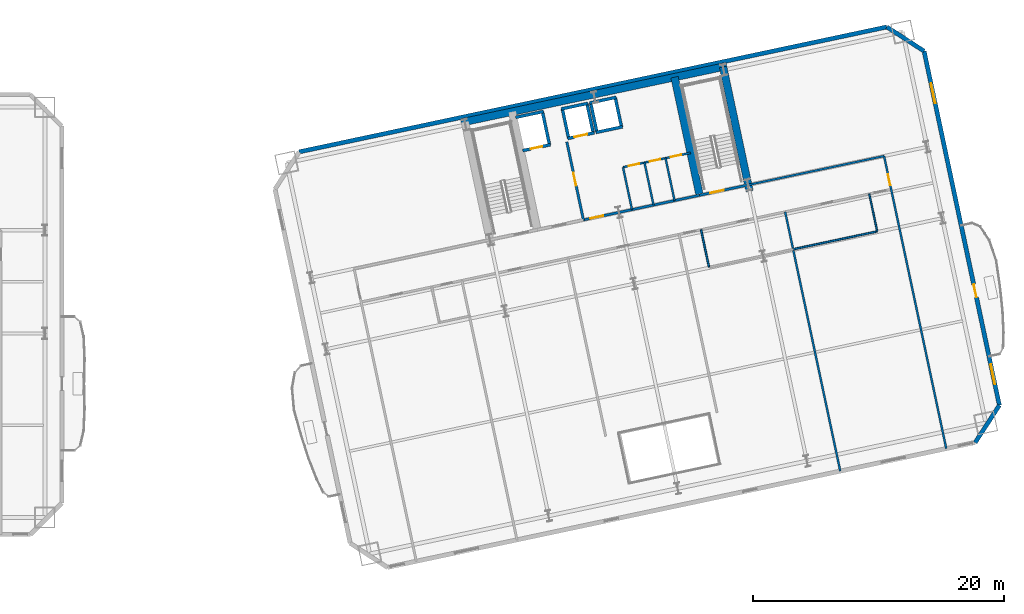
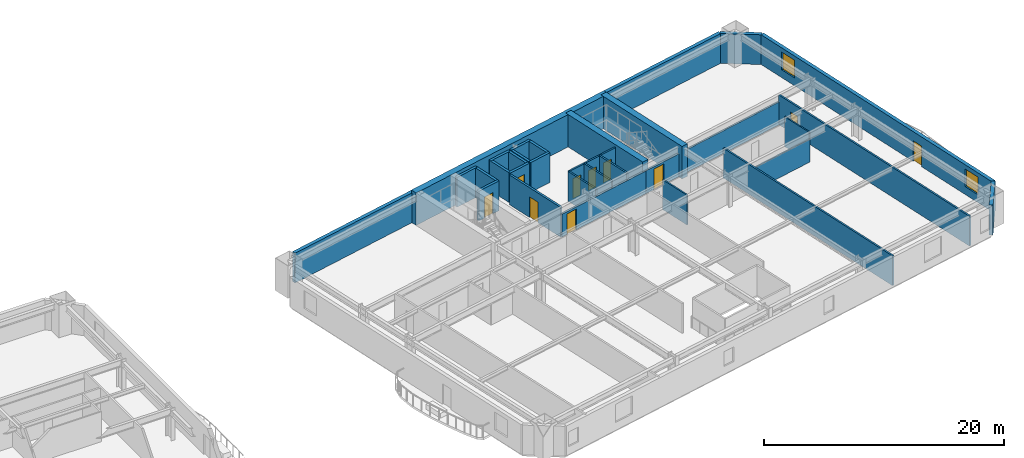
# One storey, part 8 of 16: 31 walls, 10 doors, 2 windows, 12 openings.
"""IFC4 building model written with IfcOpenShell, lengths in metres."""

from ifc_helpers import new_model, si_unit, direction, frame, frame_2d, origin, place, context, subcontext, project, spatial, rectangle, extrude, material, layer, layer_set, type_object, element, fill, save


model = new_model("IFC4")

# Units and contexts
model_context = context("Model", 3, precision=1e-05, world=origin(), true_north=direction((0.0, 1.0)))
body_context = subcontext(model_context, "Body", "Model", "MODEL_VIEW")
ifc_project = project(units=[si_unit("LENGTHUNIT", "METRE"), si_unit("AREAUNIT", "SQUARE_METRE"), si_unit("VOLUMEUNIT", "CUBIC_METRE"), si_unit("PLANEANGLEUNIT", "RADIAN"), si_unit("MASSUNIT", "GRAM", prefix="KILO")], contexts=[model_context])

# Site, building, storey
site_placement = place(None, origin())
site = spatial("IfcSite", under=ifc_project, at=site_placement, CompositionType="ELEMENT")
building_placement = place(site_placement, origin())
building = spatial("IfcBuilding", under=site, at=building_placement, Name="Haevon Station Towers", CompositionType="ELEMENT")
storey_placement = place(building_placement, frame((0.0, 0.0, 43.800048828125)))
storey = spatial("IfcBuildingStorey", under=building, at=storey_placement, Name="L10", CompositionType="ELEMENT", Elevation=43.800048828125)

# Wall, opening, door
ifc_material_1 = material(Name="Gypsum board on steel stud", Category="steel")
ifc_layer_1 = layer(ifc_material_1, 0.199951171875)
ifc_layer_set_1 = layer_set([ifc_layer_1], Name="Gypsum board on steel stud")
wall_type_1 = type_object("IfcWallType", Name="WL-COR200", PredefinedType="PARTITIONING", material=ifc_layer_set_1)
wall_1_placement = place(storey_placement, frame((115.4296875, 40.9873046875, 0.0), z_axis=(0.0, 0.0, 1.0), x_axis=(0.978146596989, 0.207916413008, 0.0)))
wall_1 = element("IfcWall", 1, at=wall_1_placement, inside=storey, type_object=wall_type_1, Name="WL-ST-ST4-L10", PredefinedType="PARTITIONING", context=body_context, shape_type="SweptSolid", body=[
    extrude(rectangle(XDim=3.9501953125, YDim=0.199951171875, at=frame_2d((1.97509765625, 0.0))), origin(), (0.0, 0.0, 1.0), 2.329833984375),
])
opening_1_placement = place(wall_1_placement, frame((0.85009765625, 0.0, 0.0)))
opening_1 = element("IfcOpeningElement", 2, at=opening_1_placement, cuts=wall_1, Name="Opening DR-ST-ST4-L10", PredefinedType="OPENING", context=body_context, shape_type="SweptSolid", body=[
    extrude(rectangle(XDim=1.1201171875, YDim=2.10009765625, at=frame_2d((0.56005859375, 1.050048828125))), frame((0.0, 0.10986328125, 0.0), z_axis=(0.0, -1.0, 0.0), x_axis=(1.0, 0.0, 0.0)), (0.0, 0.0, 1.0), 0.219970703125),
])
ifc_material_2 = material(Name="Engineered oak timber", Category="wood")
door_type_1 = type_object("IfcDoorType", Name="DR-ST-1120", OperationType="NOTDEFINED", PredefinedType="DOOR", material=ifc_material_2)
door_1_placement = place(opening_1_placement, origin())
door_1 = element("IfcDoor", 3, at=door_1_placement, inside=storey, type_object=door_type_1, Name="L10 Escape Stair ST4 Fire Door", OperationType="SINGLE_SWING_LEFT", OverallHeight=2.10009765625, OverallWidth=1.1201171875, PredefinedType="DOOR", context=body_context, shape_type="SweptSolid", body=[
    extrude(rectangle(XDim=1.1201171875, YDim=2.10009765625, at=frame_2d((0.56005859375, 1.050048828125))), frame((0.0, 0.02490234375, 0.0), z_axis=(0.0, -1.0, 0.0), x_axis=(1.0, 0.0, 0.0)), (0.0, 0.0, 1.0), 0.050048828125),
])
fill(opening_1, door_1)

wall_2_placement = place(storey_placement, frame((106.186279296875, 39.0224609375, 0.0), z_axis=(0.0, 0.0, 1.0), x_axis=(-0.207916691923, 0.978146537703, 0.0)))
wall_2 = element("IfcWall", 4, at=wall_2_placement, inside=storey, type_object=wall_type_1, Name="WL-T2FFL-L10-E", PredefinedType="PARTITIONING", context=body_context, shape_type="SweptSolid", body=[
    extrude(rectangle(XDim=6.35009765625, YDim=0.199951171875, at=frame_2d((3.175048828125, 0.0))), origin(), (0.0, 0.0, 1.0), 3.030029296875),
])
opening_2_placement = place(wall_2_placement, frame((2.800048828125, 0.0, 0.0)))
opening_2 = element("IfcOpeningElement", 5, at=opening_2_placement, cuts=wall_2, Name="Opening DR-T2FFL-L10-E", PredefinedType="OPENING", context=body_context, shape_type="SweptSolid", body=[
    extrude(rectangle(XDim=1.050048828125, YDim=2.10009765625, at=frame_2d((0.52490234375, 1.050048828125))), frame((0.0, 0.10986328125, 0.0), z_axis=(0.0, -1.0, 0.0), x_axis=(1.0, 0.0, 0.0)), (0.0, 0.0, 1.0), 0.219970703125),
])
door_type_2 = type_object("IfcDoorType", Name="DR-FD60-1050", OperationType="NOTDEFINED", PredefinedType="DOOR", material=ifc_material_2)
door_2_placement = place(opening_2_placement, origin())
door_2 = element("IfcDoor", 6, at=door_2_placement, inside=storey, type_object=door_type_2, Name="L10 Tower 2 Firefighting Lift Lobby Door E", OperationType="SINGLE_SWING_RIGHT", OverallHeight=2.10009765625, OverallWidth=1.050048828125, PredefinedType="DOOR", context=body_context, shape_type="SweptSolid", body=[
    extrude(rectangle(XDim=1.050048828125, YDim=2.10009765625, at=frame_2d((0.52490234375, 1.050048828125))), frame((0.0, 0.02490234375, 0.0), z_axis=(0.0, -1.0, 0.0), x_axis=(1.0, 0.0, 0.0)), (0.0, 0.0, 1.0), 0.050048828125),
])
fill(opening_2, door_2)

wall_3_placement = place(storey_placement, frame((106.186279296875, 39.0224609375, 0.0), z_axis=(0.0, 0.0, 1.0), x_axis=(0.978145519981, 0.20792147975, 0.0)))
wall_3 = element("IfcWall", 7, at=wall_3_placement, inside=storey, type_object=wall_type_1, Name="WL-T2CLB-L10", PredefinedType="PARTITIONING", context=body_context, shape_type="SweptSolid", body=[
    extrude(rectangle(XDim=9.449951171875, YDim=0.199951171875, at=frame_2d((4.72509765625, 0.0))), origin(), (0.0, 0.0, 1.0), 2.329833984375),
])
opening_3_placement = place(wall_3_placement, frame((0.550048828125, 0.0, 0.0)))
opening_3 = element("IfcOpeningElement", 8, at=opening_3_placement, cuts=wall_3, Name="Opening DR-T2CLB-L10-1", PredefinedType="OPENING", context=body_context, shape_type="SweptSolid", body=[
    extrude(rectangle(XDim=1.050048828125, YDim=2.10009765625, at=frame_2d((0.52490234375, 1.050048828125))), frame((0.0, 0.10986328125, 0.0), z_axis=(0.0, -1.0, 0.0), x_axis=(1.0, 0.0, 0.0)), (0.0, 0.0, 1.0), 0.219970703125),
])
door_3_placement = place(opening_3_placement, origin())
door_3 = element("IfcDoor", 9, at=door_3_placement, inside=storey, type_object=door_type_2, Name="L10 Tower 2 Core Lift Lobby Door 1", OperationType="SINGLE_SWING_RIGHT", OverallHeight=2.10009765625, OverallWidth=1.050048828125, PredefinedType="DOOR", context=body_context, shape_type="SweptSolid", body=[
    extrude(rectangle(XDim=1.050048828125, YDim=2.10009765625, at=frame_2d((0.52490234375, 1.050048828125))), frame((0.0, 0.02490234375, 0.0), z_axis=(0.0, -1.0, 0.0), x_axis=(1.0, 0.0, 0.0)), (0.0, 0.0, 1.0), 0.050048828125),
])
fill(opening_3, door_3)

# Walls
ifc_material_3 = material(Name="Concrete C60/75", Category="concrete")
ifc_layer_2 = layer(ifc_material_3, 0.60009765625)
ifc_layer_set_2 = layer_set([ifc_layer_2], Name="Concrete C60/75")
wall_type_2 = type_object("IfcWallType", Name="WL-CR600", PredefinedType="SHEAR", material=ifc_layer_set_2)
wall_4_placement = place(storey_placement, frame((96.462890625, 46.770263671875, 0.0), z_axis=(0.0, 0.0, 1.0), x_axis=(0.978147272959, 0.207913232873, 0.0)))
element("IfcWall", 10, at=wall_4_placement, inside=storey, type_object=wall_type_2, Name="WL-T2CR-L10-N", PredefinedType="SHEAR", context=body_context, shape_type="SweptSolid", body=[
    extrude(rectangle(XDim=21.60009765625, YDim=0.60009765625, at=frame_2d((10.800048828125, 0.0))), origin(), (0.0, 0.0, 1.0), 3.300048828125),
])
wall_5_placement = place(storey_placement, frame((119.401611328125, 41.2998046875, 0.0), z_axis=(0.0, 0.0, 1.0), x_axis=(-0.207904342798, 0.978149162575, 0.0)))
element("IfcWall", 11, at=wall_5_placement, inside=storey, type_object=wall_type_2, Name="WL-T2CR-L10-E", PredefinedType="SHEAR", context=body_context, shape_type="SweptSolid", body=[
    extrude(rectangle(XDim=10.1201171875, YDim=0.60009765625, at=frame_2d((5.06005859375, 0.0))), origin(), (0.0, 0.0, 1.0), 3.300048828125),
])
wall_6_placement = place(storey_placement, frame((115.4296875, 40.9873046875, 0.0), z_axis=(0.0, 0.0, 1.0), x_axis=(-0.207903162969, 0.978149413345, 0.0)))
element("IfcWall", 12, at=wall_6_placement, inside=storey, type_object=wall_type_2, Name="WL-T2CR-L10-M2", PredefinedType="SHEAR", context=body_context, shape_type="SweptSolid", body=[
    extrude(rectangle(XDim=9.599853515625, YDim=0.60009765625, at=frame_2d((4.7998046875, 0.0))), origin(), (0.0, 0.0, 1.0), 3.300048828125),
])
ifc_material_4 = material(Name="Precast concrete C45/55", Category="concrete")
ifc_layer_3 = layer(ifc_material_4, 0.340087890625)
ifc_layer_set_3 = layer_set([ifc_layer_3], Name="Precast concrete C45/55")
wall_type_3 = type_object("IfcWallType", Name="WL-EXT-PIER340", PredefinedType="SOLIDWALL", material=ifc_layer_set_3)
wall_7_placement = place(storey_placement, frame((83.566162109375, 44.43798828125, 0.0), z_axis=(0.0, 0.0, 1.0), x_axis=(0.97814833523, 0.207908235256, 0.0)))
element("IfcWall", 13, at=wall_7_placement, inside=storey, type_object=wall_type_3, Name="WL-T2-L10-N", PredefinedType="SOLIDWALL", context=body_context, shape_type="SweptSolid", body=[
    extrude(rectangle(XDim=47.7998046875, YDim=0.340087890625, at=frame_2d((23.89990234375, 0.0))), origin(), (0.0, 0.0, 1.0), 3.030029296875),
])
wall_8_placement = place(storey_placement, frame((130.321533203125, 54.3759765625, 0.0), z_axis=(0.0, 0.0, 1.0), x_axis=(0.838672309694, -0.544636352948, 0.0)))
element("IfcWall", 14, at=wall_8_placement, inside=storey, type_object=wall_type_3, Name="WL-T2-L10-NEC", PredefinedType="SOLIDWALL", context=body_context, shape_type="SweptSolid", body=[
    extrude(rectangle(XDim=3.535400390625, YDim=0.340087890625, at=frame_2d((1.767578125, 0.0))), origin(), (0.0, 0.0, 1.0), 3.030029296875),
])

# Wall, openings, door, windows
wall_9_placement = place(storey_placement, frame((133.28662109375, 52.450439453125, 0.0), z_axis=(0.0, 0.0, 1.0), x_axis=(0.207909549752, -0.978148055829, 0.0)))
wall_9 = element("IfcWall", 15, at=wall_9_placement, inside=storey, type_object=wall_type_3, Name="WL-T2-L10-E", PredefinedType="SOLIDWALL", context=body_context, shape_type="SweptSolid", body=[
    extrude(rectangle(XDim=28.800048828125, YDim=0.340087890625, at=frame_2d((14.39990234375, 0.0))), origin(), (0.0, 0.0, 1.0), 3.030029296875),
])
opening_4_placement = place(wall_9_placement, frame((18.97509765625, 0.0, 0.0)))
opening_4 = element("IfcOpeningElement", 16, at=opening_4_placement, cuts=wall_9, Name="Opening DR-T2-SCAL-L10-E", PredefinedType="OPENING", context=body_context, shape_type="SweptSolid", body=[
    extrude(rectangle(XDim=1.050048828125, YDim=2.10009765625, at=frame_2d((0.52490234375, 1.050048828125))), frame((0.0, 0.179931640625, 0.0), z_axis=(0.0, -1.0, 0.0), x_axis=(1.0, 0.0, 0.0)), (0.0, 0.0, 1.0), 0.360107421875),
])
opening_5_placement = place(wall_9_placement, frame((2.628662109375, 0.0, 0.800048828125)))
opening_5 = element("IfcOpeningElement", 17, at=opening_5_placement, cuts=wall_9, Name="Opening WN-END160", PredefinedType="OPENING", context=body_context, shape_type="SweptSolid", body=[
    extrude(rectangle(XDim=1.60009765625, YDim=1.800048828125, at=frame_2d((0.800048828125, 0.89990234375))), frame((0.0, 0.179931640625, 0.0), z_axis=(0.0, -1.0, 0.0), x_axis=(1.0, 0.0, 0.0)), (0.0, 0.0, 1.0), 0.360107421875),
])
opening_6_placement = place(wall_9_placement, frame((25.485595703125, 0.0, 0.800048828125)))
opening_6 = element("IfcOpeningElement", 18, at=opening_6_placement, cuts=wall_9, Name="Opening WN-END160", PredefinedType="OPENING", context=body_context, shape_type="SweptSolid", body=[
    extrude(rectangle(XDim=1.60009765625, YDim=1.800048828125, at=frame_2d((0.800048828125, 0.89990234375))), frame((0.0, 0.179931640625, 0.0), z_axis=(0.0, -1.0, 0.0), x_axis=(1.0, 0.0, 0.0)), (0.0, 0.0, 1.0), 0.360107421875),
])
ifc_material_5 = material(Name="Thermally broken anodised aluminium and laminated safety glass", Category="aluminium")
door_type_3 = type_object("IfcDoorType", Name="DR-BALC-1050", OperationType="NOTDEFINED", PredefinedType="DOOR", material=ifc_material_5)
door_4_placement = place(opening_4_placement, origin())
door_4 = element("IfcDoor", 19, at=door_4_placement, inside=storey, type_object=door_type_3, Name="Tower 2 L10 East Scalloped Balcony Door", OperationType="SINGLE_SWING_LEFT", OverallHeight=2.10009765625, OverallWidth=1.050048828125, PredefinedType="DOOR", context=body_context, shape_type="SweptSolid", body=[
    extrude(rectangle(XDim=1.050048828125, YDim=2.10009765625, at=frame_2d((0.52490234375, 1.050048828125))), frame((0.0, 0.02490234375, 0.0), z_axis=(0.0, -1.0, 0.0), x_axis=(1.0, 0.0, 0.0)), (0.0, 0.0, 1.0), 0.050048828125),
])
fill(opening_4, door_4)
ifc_material_6 = material(Name="Low-E triple glazing in thermally broken aluminium", Category="aluminium")
window_type = type_object("IfcWindowType", Name="WN-END160", PartitioningType="SINGLE_PANEL", PredefinedType="WINDOW", material=ifc_material_6)
window_1_placement = place(opening_5_placement, origin())
window_1 = element("IfcWindow", 20, at=window_1_placement, inside=storey, type_object=window_type, Name="WN-T2-L10-E01", OverallHeight=1.800048828125, OverallWidth=1.60009765625, PartitioningType="SINGLE_PANEL", PredefinedType="WINDOW", context=body_context, shape_type="SweptSolid", body=[
    extrude(rectangle(XDim=1.60009765625, YDim=1.800048828125, at=frame_2d((0.800048828125, 0.89990234375))), frame((0.0, 0.030029296875, 0.0), z_axis=(0.0, -1.0, 0.0), x_axis=(1.0, 0.0, 0.0)), (0.0, 0.0, 1.0), 0.06005859375),
])
fill(opening_5, window_1)
window_2_placement = place(opening_6_placement, origin())
window_2 = element("IfcWindow", 21, at=window_2_placement, inside=storey, type_object=window_type, Name="WN-T2-L10-E02", OverallHeight=1.800048828125, OverallWidth=1.60009765625, PartitioningType="SINGLE_PANEL", PredefinedType="WINDOW", context=body_context, shape_type="SweptSolid", body=[
    extrude(rectangle(XDim=1.60009765625, YDim=1.800048828125, at=frame_2d((0.800048828125, 0.89990234375))), frame((0.0, 0.030029296875, 0.0), z_axis=(0.0, -1.0, 0.0), x_axis=(1.0, 0.0, 0.0)), (0.0, 0.0, 1.0), 0.06005859375),
])
fill(opening_6, window_2)

# Walls
wall_10_placement = place(storey_placement, frame((139.2744140625, 24.27978515625, 0.0), z_axis=(0.0, 0.0, 1.0), x_axis=(-0.544636352948, -0.838672309694, 0.0)))
element("IfcWall", 22, at=wall_10_placement, inside=storey, type_object=wall_type_3, Name="WL-T2-L10-SEC", PredefinedType="SOLIDWALL", context=body_context, shape_type="SweptSolid", body=[
    extrude(rectangle(XDim=3.535400390625, YDim=0.340087890625, at=frame_2d((1.767578125, 0.0))), origin(), (0.0, 0.0, 1.0), 3.030029296875),
])
ifc_layer_4 = layer(ifc_material_1, 0.125)
ifc_layer_set_4 = layer_set([ifc_layer_4], Name="Gypsum board on steel stud")
wall_type_4 = type_object("IfcWallType", Name="WL-PRT125", PredefinedType="PARTITIONING", material=ifc_layer_set_4)
wall_11_placement = place(storey_placement, frame((129.556396484375, 38.111572265625, 0.0), z_axis=(0.0, 0.0, 1.0), x_axis=(-0.207954487003, 0.978138503145, 0.0)))
element("IfcWall", 23, at=wall_11_placement, inside=storey, type_object=wall_type_4, Name="WL-T2PT-L10-19", PredefinedType="PARTITIONING", context=body_context, shape_type="SweptSolid", body=[
    extrude(rectangle(XDim=3.050048828125, YDim=0.125, at=frame_2d((1.52490234375, 0.0))), origin(), (0.0, 0.0, 1.0), 3.030029296875),
])
ifc_layer_5 = layer(ifc_material_1, 0.139892578125)
ifc_layer_set_5 = layer_set([ifc_layer_5], Name="Gypsum board on steel stud")
wall_type_5 = type_object("IfcWallType", Name="WL-PRT140", PredefinedType="PARTITIONING", material=ifc_layer_set_5)
wall_12_placement = place(storey_placement, frame((116.17529296875, 35.267333984375, 0.0), z_axis=(0.0, 0.0, 1.0), x_axis=(-0.207877902534, 0.978154782045, 0.0)))
element("IfcWall", 24, at=wall_12_placement, inside=storey, type_object=wall_type_5, Name="WL-T2PT-L10-16", PredefinedType="PARTITIONING", context=body_context, shape_type="SweptSolid", body=[
    extrude(rectangle(XDim=3.050048828125, YDim=0.139892578125, at=frame_2d((1.52490234375, 0.0))), origin(), (0.0, 0.0, 1.0), 3.030029296875),
])
wall_13_placement = place(storey_placement, frame((122.86572265625, 36.689453125, 0.0), z_axis=(0.0, 0.0, 1.0), x_axis=(0.978148417856, 0.207907846525, 0.0)))
element("IfcWall", 25, at=wall_13_placement, inside=storey, type_object=wall_type_5, Name="WL-T2PT-L10-18", PredefinedType="PARTITIONING", context=body_context, shape_type="SweptSolid", body=[
    extrude(rectangle(XDim=6.840087890625, YDim=0.139892578125, at=frame_2d((3.419921875, 0.0))), origin(), (0.0, 0.0, 1.0), 2.329833984375),
])
ifc_layer_6 = layer(ifc_material_1, 0.159912109375)
ifc_layer_set_6 = layer_set([ifc_layer_6], Name="Gypsum board on steel stud")
wall_type_6 = type_object("IfcWallType", Name="WL-PRT160", PredefinedType="PARTITIONING", material=ifc_layer_set_6)
for number, where, z_axis, x_axis, name in (
    (26, (110.050048828125, 39.84375, 0.0), (0.0, 0.0, 1.0), (-0.207900225061, 0.978150037785, 0.0), "WL-T2CW-L10-01"),
    (27, (111.76171875, 40.20751953125, 0.0), (0.0, 0.0, 1.0), (-0.207900225061, 0.978150037785, 0.0), "WL-T2CW-L10-02"),
):
    element("IfcWall", number, at=place(storey_placement, frame(where, z_axis=z_axis, x_axis=x_axis)), inside=storey, type_object=wall_type_6, Name=name, PredefinedType="PARTITIONING", context=body_context, shape_type="SweptSolid", body=[
        extrude(rectangle(XDim=3.4501953125, YDim=0.159912109375, at=frame_2d((1.72509765625, 0.0))), origin(), (0.0, 0.0, 1.0), 3.030029296875),
    ])
wall_14_placement = place(storey_placement, frame((113.434326171875, 40.563232421875, 0.0), z_axis=(0.0, 0.0, 1.0), x_axis=(-0.207914616127, 0.978146978935, 0.0)))
element("IfcWall", 28, at=wall_14_placement, inside=storey, type_object=wall_type_6, Name="WL-T2CW-L10-03", PredefinedType="PARTITIONING", context=body_context, shape_type="SweptSolid", body=[
    extrude(rectangle(XDim=3.449951171875, YDim=0.159912109375, at=frame_2d((1.72509765625, 0.0))), origin(), (0.0, 0.0, 1.0), 3.030029296875),
])

# Wall, openings, doors
wall_15_placement = place(storey_placement, frame((109.332763671875, 43.218505859375, 0.0), z_axis=(0.0, 0.0, 1.0), x_axis=(0.978153773776, 0.207882646816, 0.0)))
wall_15 = element("IfcWall", 29, at=wall_15_placement, inside=storey, type_object=wall_type_6, Name="WL-T2CW-L10-04", PredefinedType="PARTITIONING", context=body_context, shape_type="SweptSolid", body=[
    extrude(rectangle(XDim=5.499755859375, YDim=0.159912109375, at=frame_2d((2.75, 0.0))), origin(), (0.0, 0.0, 1.0), 3.030029296875),
])
opening_7_placement = place(wall_15_placement, frame((0.469970703125, 0.0, 0.0)))
opening_7 = element("IfcOpeningElement", 30, at=opening_7_placement, cuts=wall_15, Name="Opening DR-WL-T2CW-L10-04-1", PredefinedType="OPENING", context=body_context, shape_type="SweptSolid", body=[
    extrude(rectangle(XDim=0.85009765625, YDim=2.050048828125, at=frame_2d((0.425048828125, 1.02490234375))), frame((0.0, 0.08984375, 0.0), z_axis=(0.0, -1.0, 0.0), x_axis=(1.0, 0.0, 0.0)), (0.0, 0.0, 1.0), 0.179931640625),
])
opening_8_placement = place(wall_15_placement, frame((2.179931640625, 0.0, 0.0)))
opening_8 = element("IfcOpeningElement", 31, at=opening_8_placement, cuts=wall_15, Name="Opening DR-WL-T2CW-L10-04-2", PredefinedType="OPENING", context=body_context, shape_type="SweptSolid", body=[
    extrude(rectangle(XDim=0.85009765625, YDim=2.050048828125, at=frame_2d((0.425048828125, 1.02490234375))), frame((0.0, 0.08984375, 0.0), z_axis=(0.0, -1.0, 0.0), x_axis=(1.0, 0.0, 0.0)), (0.0, 0.0, 1.0), 0.179931640625),
])
opening_9_placement = place(wall_15_placement, frame((3.89501953125, 0.0, 0.0)))
opening_9 = element("IfcOpeningElement", 32, at=opening_9_placement, cuts=wall_15, Name="Opening DR-WL-T2CW-L10-04-3", PredefinedType="OPENING", context=body_context, shape_type="SweptSolid", body=[
    extrude(rectangle(XDim=0.85009765625, YDim=2.050048828125, at=frame_2d((0.425048828125, 1.02490234375))), frame((0.0, 0.08984375, 0.0), z_axis=(0.0, -1.0, 0.0), x_axis=(1.0, 0.0, 0.0)), (0.0, 0.0, 1.0), 0.179931640625),
])
door_type_4 = type_object("IfcDoorType", Name="DR-FD30-850", OperationType="NOTDEFINED", PredefinedType="DOOR", material=ifc_material_2)
door_5_placement = place(opening_7_placement, origin())
door_5 = element("IfcDoor", 33, at=door_5_placement, inside=storey, type_object=door_type_4, Name="L10 Tower 2 Core Room Door 4-1", OperationType="SINGLE_SWING_LEFT", OverallHeight=2.050048828125, OverallWidth=0.85009765625, PredefinedType="DOOR", context=body_context, shape_type="SweptSolid", body=[
    extrude(rectangle(XDim=0.85009765625, YDim=2.050048828125, at=frame_2d((0.425048828125, 1.02490234375))), frame((0.0, 0.02490234375, 0.0), z_axis=(0.0, -1.0, 0.0), x_axis=(1.0, 0.0, 0.0)), (0.0, 0.0, 1.0), 0.050048828125),
])
fill(opening_7, door_5)
door_6_placement = place(opening_8_placement, origin())
door_6 = element("IfcDoor", 34, at=door_6_placement, inside=storey, type_object=door_type_4, Name="L10 Tower 2 Core Room Door 4-2", OperationType="SINGLE_SWING_RIGHT", OverallHeight=2.050048828125, OverallWidth=0.85009765625, PredefinedType="DOOR", context=body_context, shape_type="SweptSolid", body=[
    extrude(rectangle(XDim=0.85009765625, YDim=2.050048828125, at=frame_2d((0.425048828125, 1.02490234375))), frame((0.0, 0.02490234375, 0.0), z_axis=(0.0, -1.0, 0.0), x_axis=(1.0, 0.0, 0.0)), (0.0, 0.0, 1.0), 0.050048828125),
])
fill(opening_8, door_6)
door_7_placement = place(opening_9_placement, origin())
door_7 = element("IfcDoor", 35, at=door_7_placement, inside=storey, type_object=door_type_4, Name="L10 Tower 2 Core Room Door 4-3", OperationType="SINGLE_SWING_LEFT", OverallHeight=2.050048828125, OverallWidth=0.85009765625, PredefinedType="DOOR", context=body_context, shape_type="SweptSolid", body=[
    extrude(rectangle(XDim=0.85009765625, YDim=2.050048828125, at=frame_2d((0.425048828125, 1.02490234375))), frame((0.0, 0.02490234375, 0.0), z_axis=(0.0, -1.0, 0.0), x_axis=(1.0, 0.0, 0.0)), (0.0, 0.0, 1.0), 0.050048828125),
])
fill(opening_9, door_7)

# Wall
wall_16_placement = place(storey_placement, frame((119.29345703125, 41.80859375, 0.0), z_axis=(0.0, 0.0, 1.0), x_axis=(0.978148967098, 0.207905262477, 0.0)))
element("IfcWall", 36, at=wall_16_placement, inside=storey, type_object=wall_type_6, Name="WL-T2PT-L10-02", PredefinedType="PARTITIONING", context=body_context, shape_type="SweptSolid", body=[
    extrude(rectangle(XDim=11.050048828125, YDim=0.159912109375, at=frame_2d((5.52490234375, 0.0))), origin(), (0.0, 0.0, 1.0), 2.329833984375),
])

# Wall, opening, door
wall_17_placement = place(storey_placement, frame((135.05029296875, 20.826171875, 0.0), z_axis=(0.0, 0.0, 1.0), x_axis=(-0.207910528946, 0.978147847697, 0.0)))
wall_17 = element("IfcWall", 37, at=wall_17_placement, inside=storey, type_object=wall_type_6, Name="WL-T2PT-L10-04", PredefinedType="PARTITIONING", context=body_context, shape_type="SweptSolid", body=[
    extrude(rectangle(XDim=23.7998046875, YDim=0.159912109375, at=frame_2d((11.89990234375, 0.0))), origin(), (0.0, 0.0, 1.0), 3.030029296875),
])
opening_10_placement = place(wall_17_placement, frame((21.419921875, 0.0, 0.0)))
opening_10 = element("IfcOpeningElement", 38, at=opening_10_placement, cuts=wall_17, Name="Opening DR-WL-T2PT-L10-04-01", PredefinedType="OPENING", context=body_context, shape_type="SweptSolid", body=[
    extrude(rectangle(XDim=0.89990234375, YDim=2.050048828125, at=frame_2d((0.449951171875, 1.02490234375))), frame((0.0, 0.08984375, 0.0), z_axis=(0.0, -1.0, 0.0), x_axis=(1.0, 0.0, 0.0)), (0.0, 0.0, 1.0), 0.179931640625),
])
door_type_5 = type_object("IfcDoorType", Name="DR-INT-900", OperationType="NOTDEFINED", PredefinedType="DOOR", material=ifc_material_2)
door_8_placement = place(opening_10_placement, origin())
door_8 = element("IfcDoor", 39, at=door_8_placement, inside=storey, type_object=door_type_5, Name="L10 Tower 2 Room Door 4-1", OperationType="SINGLE_SWING_LEFT", OverallHeight=2.050048828125, OverallWidth=0.89990234375, PredefinedType="DOOR", context=body_context, shape_type="SweptSolid", body=[
    extrude(rectangle(XDim=0.89990234375, YDim=2.050048828125, at=frame_2d((0.449951171875, 1.02490234375))), frame((0.0, 0.02490234375, 0.0), z_axis=(0.0, -1.0, 0.0), x_axis=(1.0, 0.0, 0.0)), (0.0, 0.0, 1.0), 0.050048828125),
])
fill(opening_10, door_8)

# Wall
wall_18_placement = place(storey_placement, frame((126.61865234375, 19.033935546875, 0.0), z_axis=(0.0, 0.0, 1.0), x_axis=(-0.207912863691, 0.978147351431, 0.0)))
element("IfcWall", 40, at=wall_18_placement, inside=storey, type_object=wall_type_6, Name="WL-T2PT-L10-17", PredefinedType="PARTITIONING", context=body_context, shape_type="SweptSolid", body=[
    extrude(rectangle(XDim=21.10009765625, YDim=0.159912109375, at=frame_2d((10.550048828125, 0.0))), origin(), (0.0, 0.0, 1.0), 3.030029296875),
])

# Wall, opening, door
ifc_material_7 = material(Name="Concrete C40/50", Category="concrete")
ifc_layer_7 = layer(ifc_material_7, 0.239990234375)
ifc_layer_set_7 = layer_set([ifc_layer_7], Name="Concrete C40/50")
wall_type_7 = type_object("IfcWallType", Name="WL-SHF240", PredefinedType="PARTITIONING", material=ifc_layer_set_7)
wall_19_placement = place(storey_placement, frame((101.353759765625, 44.538330078125, 0.0), z_axis=(0.0, 0.0, 1.0), x_axis=(0.978141002414, 0.207942731049, 0.0)))
wall_19 = element("IfcWall", 41, at=wall_19_placement, inside=storey, type_object=wall_type_7, Name="WL-SHF-FL2-L10", PredefinedType="PARTITIONING", context=body_context, shape_type="SweptSolid", body=[
    extrude(rectangle(XDim=2.260009765625, YDim=0.239990234375, at=frame_2d((1.1298828125, 0.0))), origin(), (0.0, 0.0, 1.0), 3.030029296875),
])
opening_11_placement = place(wall_19_placement, frame((0.655029296875, 0.0, 0.0)))
opening_11 = element("IfcOpeningElement", 42, at=opening_11_placement, cuts=wall_19, Name="Opening LD-FL2-L10", PredefinedType="OPENING", context=body_context, shape_type="SweptSolid", body=[
    extrude(rectangle(XDim=0.949951171875, YDim=2.14990234375, at=frame_2d((0.47509765625, 1.074951171875))), frame((0.0, 0.1298828125, 0.0), z_axis=(0.0, -1.0, 0.0), x_axis=(1.0, 0.0, 0.0)), (0.0, 0.0, 1.0), 0.260009765625),
])
ifc_material_8 = material(Name="Stainless steel and rated core", Category="steel")
door_type_6 = type_object("IfcDoorType", Name="LD-FL950", OperationType="SLIDING_TO_LEFT", PredefinedType="DOOR", material=ifc_material_8)
door_9_placement = place(opening_11_placement, origin())
door_9 = element("IfcDoor", 43, at=door_9_placement, inside=storey, type_object=door_type_6, Name="L10 Lift FL2 Sliding Landing Door", OperationType="SLIDING_TO_LEFT", OverallHeight=2.14990234375, OverallWidth=0.949951171875, PredefinedType="DOOR", context=body_context, shape_type="SweptSolid", body=[
    extrude(rectangle(XDim=0.949951171875, YDim=2.14990234375, at=frame_2d((0.47509765625, 1.074951171875))), frame((0.0, 0.02490234375, 0.0), z_axis=(0.0, -1.0, 0.0), x_axis=(1.0, 0.0, 0.0)), (0.0, 0.0, 1.0), 0.050048828125),
])
fill(opening_11, door_9)

# Walls
wall_20_placement = place(storey_placement, frame((100.79248046875, 47.179443359375, 0.0), z_axis=(0.0, 0.0, 1.0), x_axis=(0.978162968872, 0.207839376268, 0.0)))
element("IfcWall", 44, at=wall_20_placement, inside=storey, type_object=wall_type_7, Name="WL-SHF-FL2-L10-N", PredefinedType="PARTITIONING", context=body_context, shape_type="SweptSolid", body=[
    extrude(rectangle(XDim=2.260009765625, YDim=0.239990234375, at=frame_2d((1.1298828125, 0.0))), origin(), (0.0, 0.0, 1.0), 3.030029296875),
])
wall_21_placement = place(storey_placement, frame((103.486328125, 44.99169921875, 0.0), z_axis=(0.0, 0.0, 1.0), x_axis=(-0.207978798957, 0.978133334052, 0.0)))
element("IfcWall", 45, at=wall_21_placement, inside=storey, type_object=wall_type_7, Name="WL-SHF-FL2-L10-E", PredefinedType="PARTITIONING", context=body_context, shape_type="SweptSolid", body=[
    extrude(rectangle(XDim=2.699951171875, YDim=0.239990234375, at=frame_2d((1.35009765625, 0.0))), origin(), (0.0, 0.0, 1.0), 3.030029296875),
])

# Wall, opening, door
wall_22_placement = place(storey_placement, frame((104.931396484375, 45.503173828125, 0.0), z_axis=(0.0, 0.0, 1.0), x_axis=(0.97813528961, 0.207969601673, 0.0)))
wall_22 = element("IfcWall", 46, at=wall_22_placement, inside=storey, type_object=wall_type_7, Name="WL-SHF-PL7-L10", PredefinedType="PARTITIONING", context=body_context, shape_type="SweptSolid", body=[
    extrude(rectangle(XDim=2.159912109375, YDim=0.239990234375, at=frame_2d((1.080078125, 0.0))), origin(), (0.0, 0.0, 1.0), 3.030029296875),
])
opening_12_placement = place(wall_22_placement, frame((0.554931640625, 0.0, 0.0)))
opening_12 = element("IfcOpeningElement", 47, at=opening_12_placement, cuts=wall_22, Name="Opening LD-PL7-L10", PredefinedType="OPENING", context=body_context, shape_type="SweptSolid", body=[
    extrude(rectangle(XDim=1.050048828125, YDim=2.14990234375, at=frame_2d((0.52490234375, 1.074951171875))), frame((0.0, 0.1298828125, 0.0), z_axis=(0.0, -1.0, 0.0), x_axis=(1.0, 0.0, 0.0)), (0.0, 0.0, 1.0), 0.260009765625),
])
door_type_7 = type_object("IfcDoorType", Name="LD-PL1050", OperationType="SLIDING_TO_LEFT", PredefinedType="DOOR", material=ifc_material_8)
door_10_placement = place(opening_12_placement, origin())
door_10 = element("IfcDoor", 48, at=door_10_placement, inside=storey, type_object=door_type_7, Name="L10 Lift PL7 Sliding Landing Door", OperationType="SLIDING_TO_LEFT", OverallHeight=2.14990234375, OverallWidth=1.050048828125, PredefinedType="DOOR", context=body_context, shape_type="SweptSolid", body=[
    extrude(rectangle(XDim=1.050048828125, YDim=2.14990234375, at=frame_2d((0.52490234375, 1.074951171875))), frame((0.0, 0.02490234375, 0.0), z_axis=(0.0, -1.0, 0.0), x_axis=(1.0, 0.0, 0.0)), (0.0, 0.0, 1.0), 0.050048828125),
])
fill(opening_12, door_10)

# Walls
wall_23_placement = place(storey_placement, frame((104.432373046875, 47.850830078125, 0.0), z_axis=(0.0, 0.0, 1.0), x_axis=(0.978158276388, 0.207861459473, 0.0)))
element("IfcWall", 49, at=wall_23_placement, inside=storey, type_object=wall_type_7, Name="WL-SHF-PL7-L10-N", PredefinedType="PARTITIONING", context=body_context, shape_type="SweptSolid", body=[
    extrude(rectangle(XDim=2.159912109375, YDim=0.239990234375, at=frame_2d((1.080078125, 0.0))), origin(), (0.0, 0.0, 1.0), 3.030029296875),
])
wall_24_placement = place(storey_placement, frame((105.009765625, 45.519775390625, 0.0), z_axis=(0.0, 0.0, 1.0), x_axis=(-0.207917150959, 0.978146440129, 0.0)))
element("IfcWall", 50, at=wall_24_placement, inside=storey, type_object=wall_type_7, Name="WL-SHF-PL7-L10-W", PredefinedType="PARTITIONING", context=body_context, shape_type="SweptSolid", body=[
    extrude(rectangle(XDim=2.400146484375, YDim=0.239990234375, at=frame_2d((1.2001953125, 0.0))), origin(), (0.0, 0.0, 1.0), 3.030029296875),
])
wall_25_placement = place(storey_placement, frame((106.966064453125, 45.935791015625, 0.0), z_axis=(0.0, 0.0, 1.0), x_axis=(-0.207937840262, 0.978142042133, 0.0)))
element("IfcWall", 51, at=wall_25_placement, inside=storey, type_object=wall_type_7, Name="WL-SHF-PL7-L10-E", PredefinedType="PARTITIONING", context=body_context, shape_type="SweptSolid", body=[
    extrude(rectangle(XDim=2.39990234375, YDim=0.239990234375, at=frame_2d((1.199951171875, 0.0))), origin(), (0.0, 0.0, 1.0), 3.030029296875),
])
for number, where, z_axis, x_axis, name in (
    (52, (107.18115234375, 45.9814453125, 0.0), (0.0, 0.0, 1.0), (0.97813528961, 0.207969601673, 0.0), "WL-SHF-PL8-L10"),
    (53, (106.68212890625, 48.3291015625, 0.0), (0.0, 0.0, 1.0), (0.978158276388, 0.207861459473, 0.0), "WL-SHF-PL8-L10-N"),
):
    element("IfcWall", number, at=place(storey_placement, frame(where, z_axis=z_axis, x_axis=x_axis)), inside=storey, type_object=wall_type_7, Name=name, PredefinedType="PARTITIONING", context=body_context, shape_type="SweptSolid", body=[
        extrude(rectangle(XDim=2.159912109375, YDim=0.239990234375, at=frame_2d((1.080078125, 0.0))), origin(), (0.0, 0.0, 1.0), 3.030029296875),
    ])
for number, where, z_axis, x_axis, name in (
    (54, (107.259521484375, 45.998046875, 0.0), (0.0, 0.0, 1.0), (-0.207917150959, 0.978146440129, 0.0), "WL-SHF-PL8-L10-W"),
    (55, (109.2158203125, 46.413818359375, 0.0), (0.0, 0.0, 1.0), (-0.207917150959, 0.978146440129, 0.0), "WL-SHF-PL8-L10-E"),
):
    element("IfcWall", number, at=place(storey_placement, frame(where, z_axis=z_axis, x_axis=x_axis)), inside=storey, type_object=wall_type_7, Name=name, PredefinedType="PARTITIONING", context=body_context, shape_type="SweptSolid", body=[
        extrude(rectangle(XDim=2.400146484375, YDim=0.239990234375, at=frame_2d((1.2001953125, 0.0))), origin(), (0.0, 0.0, 1.0), 3.030029296875),
    ])

save(model, "model.ifc")
